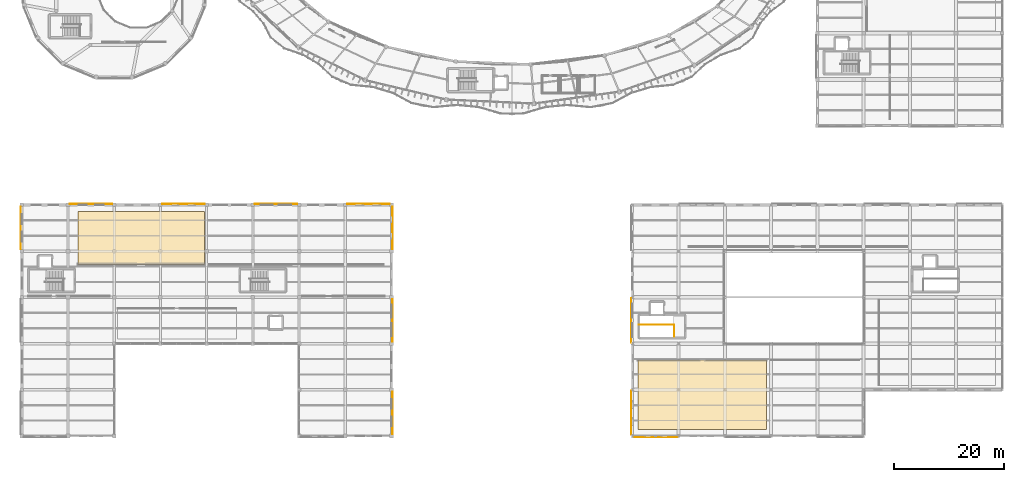
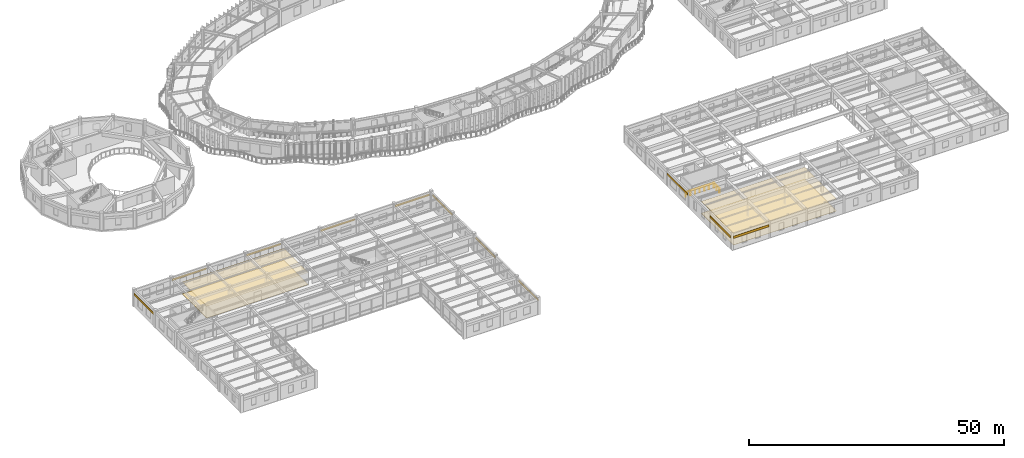
# One storey, part 129 of 138: 15 coverings, 2 railings.
"""IFC4 building model written with IfcOpenShell, lengths in metres."""

from ifc_helpers import new_model, si_unit, direction, frame, origin, origin_2d, place, context, subcontext, project, spatial, polyline, circle, outline, extrude, material, layer, layer_set, type_object, element, save


model = new_model("IFC4")

# Units and contexts
model_context = context("Model", 3, precision=1e-05, world=origin(), true_north=direction((0.0, 1.0)))
body_context = subcontext(model_context, "Body", "Model", "MODEL_VIEW")
ifc_project = project(units=[si_unit("LENGTHUNIT", "METRE"), si_unit("AREAUNIT", "SQUARE_METRE"), si_unit("VOLUMEUNIT", "CUBIC_METRE"), si_unit("PLANEANGLEUNIT", "RADIAN"), si_unit("MASSUNIT", "GRAM", prefix="KILO"), si_unit("THERMODYNAMICTEMPERATUREUNIT", "KELVIN"), si_unit("POWERUNIT", "WATT")], contexts=[model_context])

# Site, building, storey
site_placement = place(None, origin())
site = spatial("IfcSite", under=ifc_project, at=site_placement, CompositionType="ELEMENT")
building_placement = place(site_placement, origin())
building = spatial("IfcBuilding", under=site, at=building_placement, Name="Darbajah Civic Hall", CompositionType="ELEMENT")
storey_placement = place(building_placement, frame((0.0, 0.0, 9.60009765625)))
storey = spatial("IfcBuildingStorey", under=building, at=storey_placement, Name="L02", CompositionType="ELEMENT", Elevation=9.60009765625)

# Coverings
ifc_material_1 = material(Name="Honed Qatari Limestone Terrazzo", Category="masonry")
ifc_layer_1 = layer(ifc_material_1, 0.030029296875, Name="Honed Qatari Limestone Terrazzo")
ifc_layer_set_1 = layer_set([ifc_layer_1], Name="Honed Qatari Limestone Terrazzo")
covering_type_1 = type_object("IfcCoveringType", Name="Honed Qatari Limestone Terrazzo Flooring", PredefinedType="FLOORING", material=ifc_layer_set_1)
covering_1_placement = place(storey_placement, origin())
element("IfcCovering", 1, at=covering_1_placement, inside=storey, type_object=covering_type_1, Name="L02 stone terrazzo flooring L02-V3-01", PredefinedType="FLOORING", context=body_context, shape_type="SweptSolid", body=[
    extrude(outline(polyline([(112.0, 1.199951171875), (135.39990234375, 1.199951171875), (135.39990234375, 13.800048828125), (112.0, 13.800048828125), (112.0, 1.199951171875)])), origin(), (0.0, 0.0, 1.0), 0.02978515625),
])
covering_2_placement = place(storey_placement, origin())
element("IfcCovering", 2, at=covering_2_placement, inside=storey, type_object=covering_type_1, Name="L02 stone terrazzo flooring L02-V5-04", PredefinedType="FLOORING", context=body_context, shape_type="SweptSolid", body=[
    extrude(outline(polyline([(10.199951171875, 31.199951171875), (33.199951171875, 31.199951171875), (33.199951171875, 40.800048828125), (10.199951171875, 40.800048828125), (10.199951171875, 31.199951171875)])), origin(), (0.0, 0.0, 1.0), 0.02978515625),
])

# Railings
ifc_material_2 = material(Name="Brushed Bronze and Laminated Safety Glass", Category="glass")
railing_type = type_object("IfcRailingType", Name="Interior Guard Balustrade", PredefinedType="BALUSTRADE", material=ifc_material_2)
railing_1_placement = place(storey_placement, frame((118.570068359375, 18.050048828125, 0.0)))
element("IfcRailing", 3, at=railing_1_placement, inside=storey, type_object=railing_type, Name="ST06 L02 stair-well edge guard", PredefinedType="BALUSTRADE", context=body_context, shape_type="SweptSolid", body=[
    extrude(circle(Radius=0.02392578125, at=origin_2d()), frame((0.0, 0.02734375, 1.09619140625), z_axis=(0.0, 1.0, 0.0), x_axis=(-1.0, 0.0, 0.0)), (0.0, 0.0, 1.0), 2.09521484375),
    extrude(circle(Radius=0.02099609375, at=origin_2d()), origin(), (0.0, 0.0, 1.0), 1.068115234375),
    extrude(circle(Radius=0.02099609375, at=origin_2d()), frame((0.0, 1.074951171875, 0.0)), (0.0, 0.0, 1.0), 1.068115234375),
    extrude(circle(Radius=0.02099609375, at=origin_2d()), frame((0.0, 2.14990234375, 0.0)), (0.0, 0.0, 1.0), 1.068115234375),
])
railing_2_placement = place(storey_placement, frame((118.52001953125, 20.199951171875, 0.0)))
element("IfcRailing", 4, at=railing_2_placement, inside=storey, type_object=railing_type, Name="ST06 L02 top landing guard", PredefinedType="BALUSTRADE", context=body_context, shape_type="SweptSolid", body=[
    extrude(circle(Radius=0.02392578125, at=origin_2d()), frame((-0.02734375, 0.0, 1.09619140625), z_axis=(-1.0, 0.0, 0.0), x_axis=(0.0, -1.0, 0.0)), (0.0, 0.0, 1.0), 6.265380859375),
    extrude(circle(Radius=0.02099609375, at=origin_2d()), origin(), (0.0, 0.0, 1.0), 1.068115234375),
    extrude(circle(Radius=0.02099609375, at=origin_2d()), frame((-1.05322265625, 0.0, 0.0)), (0.0, 0.0, 1.0), 1.068115234375),
    extrude(circle(Radius=0.02099609375, at=origin_2d()), frame((-2.106689453125, 0.0, 0.0)), (0.0, 0.0, 1.0), 1.068115234375),
    extrude(circle(Radius=0.02099609375, at=origin_2d()), frame((-3.16015625, 0.0, 0.0)), (0.0, 0.0, 1.0), 1.068115234375),
    extrude(circle(Radius=0.02099609375, at=origin_2d()), frame((-4.21337890625, 0.0, 0.0)), (0.0, 0.0, 1.0), 1.068115234375),
    extrude(circle(Radius=0.02099609375, at=origin_2d()), frame((-5.2666015625, 0.0, 0.0)), (0.0, 0.0, 1.0), 1.068115234375),
    extrude(circle(Radius=0.02099609375, at=origin_2d()), frame((-6.320068359375, 0.0, 0.0)), (0.0, 0.0, 1.0), 1.068115234375),
])

# Coverings
ifc_material_3 = material(Name="Qatari Desert Limestone Ashlar", Category="masonry")
ifc_layer_2 = layer(ifc_material_3, 0.044921875, Name="Qatari Desert Limestone Ashlar")
ifc_layer_set_2 = layer_set([ifc_layer_2], Name="Qatari Desert Limestone Ashlar")
covering_type_2 = type_object("IfcCoveringType", Name="Limestone Facade Cladding", PredefinedType="CLADDING", material=ifc_layer_set_2)
covering_3_placement = place(storey_placement, frame((0.0, 0.0, 2.77001953125)))
element("IfcCovering", 5, at=covering_3_placement, inside=storey, type_object=covering_type_2, Name="L02 stone frieze cladding EW-V3-L02-S0-B0", PredefinedType="CLADDING", context=body_context, shape_type="SweptSolid", body=[
    extrude(outline(polyline([(111.188232421875, -0.18994140625), (119.211669921875, -0.18994140625), (119.211669921875, -0.235107421875), (111.188232421875, -0.235107421875), (111.188232421875, -0.18994140625)])), origin(), (0.0, 0.0, 1.0), 0.5),
])
covering_4_placement = place(storey_placement, frame((0.0, 0.0, 2.77001953125)))
element("IfcCovering", 6, at=covering_4_placement, inside=storey, type_object=covering_type_2, Name="L02 stone frieze cladding EW-V3-L02-S5-B2", PredefinedType="CLADDING", context=body_context, shape_type="SweptSolid", body=[
    extrude(outline(polyline([(110.81005859375, 25.013916015625), (110.81005859375, 16.986083984375), (110.764892578125, 16.986083984375), (110.764892578125, 25.013916015625), (110.81005859375, 25.013916015625)])), origin(), (0.0, 0.0, 1.0), 0.5),
])
covering_5_placement = place(storey_placement, frame((0.0, 0.0, 2.77001953125)))
element("IfcCovering", 7, at=covering_5_placement, inside=storey, type_object=covering_type_2, Name="L02 stone frieze cladding EW-V3-L02-S5-B4", PredefinedType="CLADDING", context=body_context, shape_type="SweptSolid", body=[
    extrude(outline(polyline([(110.81005859375, 8.2138671875), (110.81005859375, 0.18603515625), (110.764892578125, 0.18603515625), (110.764892578125, 8.2138671875), (110.81005859375, 8.2138671875)])), origin(), (0.0, 0.0, 1.0), 0.5),
])
covering_6_placement = place(storey_placement, frame((0.0, 0.0, 2.789794921875)))
element("IfcCovering", 8, at=covering_6_placement, inside=storey, type_object=covering_type_2, Name="L02 stone frieze cladding EW-V5-L02-S5-B0", PredefinedType="CLADDING", context=body_context, shape_type="SweptSolid", body=[
    extrude(outline(polyline([(67.35498046875, 0.326904296875), (67.35498046875, 8.072998046875), (67.39990234375, 8.072998046875), (67.39990234375, 0.326904296875), (67.35498046875, 0.326904296875)])), origin(), (0.0, 0.0, 1.0), 0.5),
])
covering_7_placement = place(storey_placement, frame((0.0, 0.0, 2.789794921875)))
element("IfcCovering", 9, at=covering_7_placement, inside=storey, type_object=covering_type_2, Name="L02 stone frieze cladding EW-V5-L02-S5-B2", PredefinedType="CLADDING", context=body_context, shape_type="SweptSolid", body=[
    extrude(outline(polyline([(67.35498046875, 17.126953125), (67.35498046875, 24.873046875), (67.39990234375, 24.873046875), (67.39990234375, 17.126953125), (67.35498046875, 17.126953125)])), origin(), (0.0, 0.0, 1.0), 0.5),
])
covering_8_placement = place(storey_placement, frame((0.0, 0.0, 2.789794921875)))
element("IfcCovering", 10, at=covering_8_placement, inside=storey, type_object=covering_type_2, Name="L02 stone frieze cladding EW-V5-L02-S5-B4", PredefinedType="CLADDING", context=body_context, shape_type="SweptSolid", body=[
    extrude(outline(polyline([(67.35498046875, 33.927001953125), (67.35498046875, 41.673095703125), (67.39990234375, 41.673095703125), (67.39990234375, 33.927001953125), (67.35498046875, 33.927001953125)])), origin(), (0.0, 0.0, 1.0), 0.5),
])
covering_9_placement = place(storey_placement, frame((0.0, 0.0, 2.789794921875)))
element("IfcCovering", 11, at=covering_9_placement, inside=storey, type_object=covering_type_2, Name="L02 stone frieze cladding EW-V5-L02-S6-B0", PredefinedType="CLADDING", context=body_context, shape_type="SweptSolid", body=[
    extrude(outline(polyline([(66.873046875, 42.155029296875), (59.126953125, 42.155029296875), (59.126953125, 42.199951171875), (66.873046875, 42.199951171875), (66.873046875, 42.155029296875)])), origin(), (0.0, 0.0, 1.0), 0.5),
])
covering_10_placement = place(storey_placement, frame((0.0, 0.0, 2.789794921875)))
element("IfcCovering", 12, at=covering_10_placement, inside=storey, type_object=covering_type_2, Name="L02 stone frieze cladding EW-V5-L02-S6-B2", PredefinedType="CLADDING", context=body_context, shape_type="SweptSolid", body=[
    extrude(outline(polyline([(50.072998046875, 42.155029296875), (42.326904296875, 42.155029296875), (42.326904296875, 42.199951171875), (50.072998046875, 42.199951171875), (50.072998046875, 42.155029296875)])), origin(), (0.0, 0.0, 1.0), 0.5),
])
covering_11_placement = place(storey_placement, frame((0.0, 0.0, 2.789794921875)))
element("IfcCovering", 13, at=covering_11_placement, inside=storey, type_object=covering_type_2, Name="L02 stone frieze cladding EW-V5-L02-S6-B4", PredefinedType="CLADDING", context=body_context, shape_type="SweptSolid", body=[
    extrude(outline(polyline([(33.27294921875, 42.155029296875), (25.527099609375, 42.155029296875), (25.527099609375, 42.199951171875), (33.27294921875, 42.199951171875), (33.27294921875, 42.155029296875)])), origin(), (0.0, 0.0, 1.0), 0.5),
])
covering_12_placement = place(storey_placement, frame((0.0, 0.0, 2.789794921875)))
element("IfcCovering", 14, at=covering_12_placement, inside=storey, type_object=covering_type_2, Name="L02 stone frieze cladding EW-V5-L02-S6-B6", PredefinedType="CLADDING", context=body_context, shape_type="SweptSolid", body=[
    extrude(outline(polyline([(16.472900390625, 42.155029296875), (8.72705078125, 42.155029296875), (8.72705078125, 42.199951171875), (16.472900390625, 42.199951171875), (16.472900390625, 42.155029296875)])), origin(), (0.0, 0.0, 1.0), 0.5),
])
covering_13_placement = place(storey_placement, frame((0.0, 0.0, 2.789794921875)))
element("IfcCovering", 15, at=covering_13_placement, inside=storey, type_object=covering_type_2, Name="L02 stone frieze cladding EW-V5-L02-S7-B0", PredefinedType="CLADDING", context=body_context, shape_type="SweptSolid", body=[
    extrude(outline(polyline([(-0.155029296875, 41.673095703125), (-0.155029296875, 33.927001953125), (-0.199951171875, 33.927001953125), (-0.199951171875, 41.673095703125), (-0.155029296875, 41.673095703125)])), origin(), (0.0, 0.0, 1.0), 0.5),
])
ifc_material_4 = material(Name="Perforated Acoustic Gypsum Board")
ifc_layer_3 = layer(ifc_material_4, 0.02490234375, Name="Perforated Acoustic Gypsum Board")
ifc_layer_set_3 = layer_set([ifc_layer_3], Name="Perforated Acoustic Gypsum Board")
covering_type_3 = type_object("IfcCoveringType", Name="Perforated Acoustic Gypsum Ceiling", PredefinedType="CEILING", material=ifc_layer_set_3)
covering_14_placement = place(storey_placement, frame((0.0, 0.0, 2.849853515625)))
element("IfcCovering", 16, at=covering_14_placement, inside=storey, type_object=covering_type_3, Name="L02 acoustic suspended ceiling L02-V3-01", PredefinedType="CEILING", context=body_context, shape_type="SweptSolid", body=[
    extrude(outline(polyline([(112.0, 1.199951171875), (135.39990234375, 1.199951171875), (135.39990234375, 13.800048828125), (112.0, 13.800048828125), (112.0, 1.199951171875)])), origin(), (0.0, 0.0, 1.0), 0.025146484375),
])
covering_15_placement = place(storey_placement, frame((0.0, 0.0, 2.849853515625)))
element("IfcCovering", 17, at=covering_15_placement, inside=storey, type_object=covering_type_3, Name="L02 acoustic suspended ceiling L02-V5-04", PredefinedType="CEILING", context=body_context, shape_type="SweptSolid", body=[
    extrude(outline(polyline([(10.199951171875, 31.199951171875), (33.199951171875, 31.199951171875), (33.199951171875, 40.800048828125), (10.199951171875, 40.800048828125), (10.199951171875, 31.199951171875)])), origin(), (0.0, 0.0, 1.0), 0.025146484375),
])

save(model, "model.ifc")
